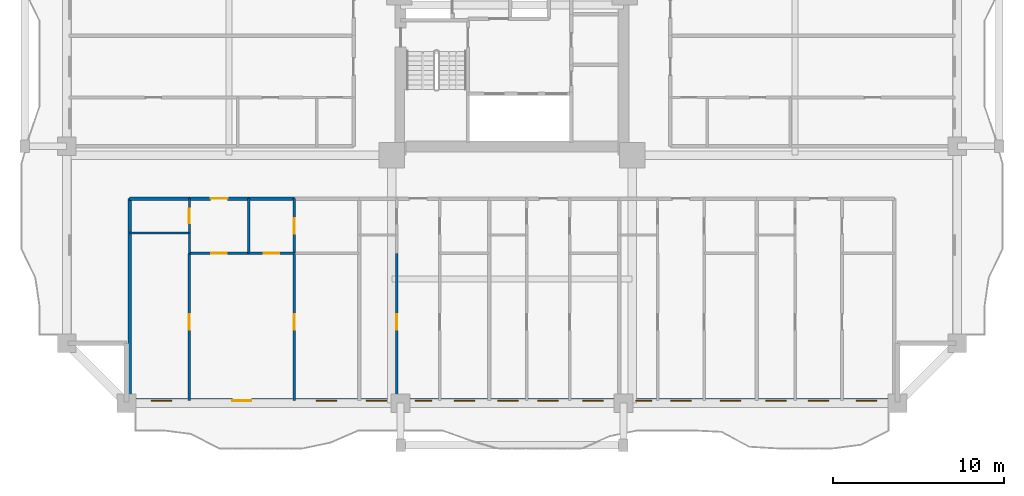
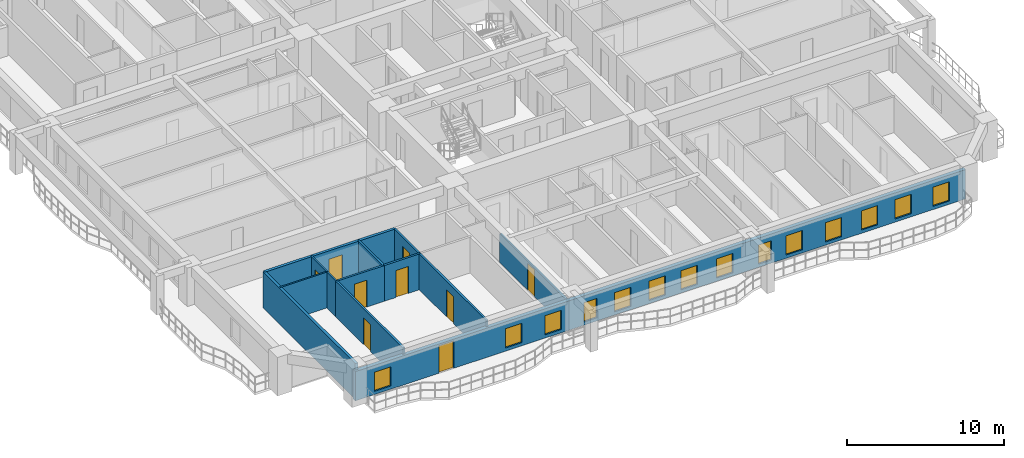
# One storey, part 2 of 16: 15 walls, 14 windows, 9 doors, 23 openings.
"""IFC4 building model written with IfcOpenShell, lengths in metres."""

import ifcopenshell
import ifcopenshell.guid

model = None  # the IFC model being written
_history = None  # IfcOwnerHistory: only IFC2X3 demands one
_inside = {}  # id of a spatial element -> (the spatial element, [elements in it])
_under = {}  # id of a project, library or spatial element -> (it, [spatial elements below it])
_declared = {}  # id of a project -> (the project, [libraries it declares])
_typed = {}  # id of a type object -> (the type object, [elements of that type])
_made_of = {}  # id of a material, layer set ... -> (it, [elements and type objects made of it])


def new_model(schema):
    """Start an empty IFC model of exactly this schema.

    Asked for "IFC4X3", IfcOpenShell would pick the latest addendum, in which some entities
    have other attributes; the version numbers below select the first issue.
    IFC2X3 requires an IfcOwnerHistory on every rooted entity: one is made here for all.
    """
    global model, _history
    if schema == "IFC4X3":
        model = ifcopenshell.file(schema_version=(4, 3, 0, 0))
    else:
        model = ifcopenshell.file(schema=schema)
    _inside.clear()
    _under.clear()
    _declared.clear()
    _typed.clear()
    _made_of.clear()
    _history = None
    if model.schema == "IFC2X3":
        org = make("IfcOrganization", Name="unknown")
        user = make(
            "IfcPersonAndOrganization",
            ThePerson=make("IfcPerson", FamilyName="unknown"),
            TheOrganization=org,
        )
        app = make(
            "IfcApplication",
            ApplicationDeveloper=org,
            Version="unknown",
            ApplicationFullName="unknown",
            ApplicationIdentifier="unknown",
        )
        _history = make(
            "IfcOwnerHistory",
            OwningUser=user,
            OwningApplication=app,
            ChangeAction="ADDED",
            CreationDate=0,
        )
    return model


def make(cls, **values):
    """One entity of the class cls with the attributes given. An attribute that is None is left unset."""
    return model.create_entity(
        cls, **{name: value for name, value in values.items() if value is not None}
    )


def rooted(cls, **values):
    """An entity with a GlobalId (a new one), such as an element, a storey or a relation."""
    return make(cls, GlobalId=ifcopenshell.guid.new(), OwnerHistory=_history, **values)


def si_unit(unit_type, name, prefix=None):
    """IfcSIUnit, for example si_unit("LENGTHUNIT", "METRE", prefix="MILLI")."""
    return make("IfcSIUnit", UnitType=unit_type, Prefix=prefix, Name=name)


def assignment(units):
    """IfcUnitAssignment: the units of a project."""
    return None if units is None else make("IfcUnitAssignment", Units=units)


def point(xyz):
    """IfcCartesianPoint."""
    return None if xyz is None else make("IfcCartesianPoint", Coordinates=xyz)


def direction(xyz):
    """IfcDirection."""
    return None if xyz is None else make("IfcDirection", DirectionRatios=xyz)


def frame(location, z_axis=None, x_axis=None):
    """IfcAxis2Placement3D, a coordinate frame: its origin and axes. An axis left out is left unset."""
    return make(
        "IfcAxis2Placement3D",
        Location=point(location),
        Axis=direction(z_axis),
        RefDirection=direction(x_axis),
    )


def frame_2d(location, x_axis=None):
    """IfcAxis2Placement2D, a coordinate frame in the plane: its origin and x axis."""
    return make(
        "IfcAxis2Placement2D", Location=point(location), RefDirection=direction(x_axis)
    )


def origin():
    """The frame at (0, 0, 0) with its axes left unset."""
    return frame((0.0, 0.0, 0.0))


def place(relative_to, where):
    """IfcLocalPlacement: puts the frame where relative to a parent placement (None: the world)."""
    return make(
        "IfcLocalPlacement", PlacementRelTo=relative_to, RelativePlacement=where
    )


def context(
    kind, dimensions, precision=None, world=None, true_north=None, identifier=None
):
    """IfcGeometricRepresentationContext, for example the 3D "Model" context."""
    return make(
        "IfcGeometricRepresentationContext",
        ContextIdentifier=identifier,
        ContextType=kind,
        CoordinateSpaceDimension=dimensions,
        Precision=precision,
        WorldCoordinateSystem=world,
        TrueNorth=true_north,
    )


def subcontext(parent, identifier, kind, view, scale=None):
    """IfcGeometricRepresentationSubContext, for example "Body" below "Model"."""
    return make(
        "IfcGeometricRepresentationSubContext",
        ContextIdentifier=identifier,
        ContextType=kind,
        ParentContext=parent,
        TargetScale=scale,
        TargetView=view,
    )


def project(units=None, contexts=None):
    """IfcProject with its units and contexts."""
    return rooted(
        "IfcProject",
        Name="project",
        RepresentationContexts=contexts,
        UnitsInContext=assignment(units),
    )


def spatial(cls, under=None, at=None, **own):
    """A site, building, storey or space (cls), placed at a placement, below another one or the project."""
    s = rooted(cls, ObjectPlacement=at, **own)
    if under is not None:
        _under.setdefault(under.id(), (under, []))[1].append(s)
    return s


def profile(cls, at=None, kind="AREA", **sizes):
    """A parametric profile (cls). Its sizes go by their IFC names, for example OverallWidth=200.0."""
    return make(cls, ProfileType=kind, Position=at, **sizes)


def rectangle(**sizes):
    """IfcRectangleProfileDef."""
    return profile("IfcRectangleProfileDef", **sizes)


def extrude(swept, where, along, depth):
    """IfcExtrudedAreaSolid: the profile swept, set in the frame where, extruded along a direction by depth."""
    return make(
        "IfcExtrudedAreaSolid",
        SweptArea=swept,
        Position=where,
        ExtrudedDirection=direction(along),
        Depth=depth,
    )


def shape(context_of_items, identifier, shape_type, items):
    """IfcShapeRepresentation: the items that make up one representation, for example the "Body"."""
    return make(
        "IfcShapeRepresentation",
        ContextOfItems=context_of_items,
        RepresentationIdentifier=identifier,
        RepresentationType=shape_type,
        Items=items,
    )


def source(mapping_origin, context_of_items, identifier, shape_type, items):
    """IfcRepresentationMap: a shape defined once, which mapped items show again and again."""
    return make(
        "IfcRepresentationMap",
        MappingOrigin=mapping_origin,
        MappedRepresentation=shape(context_of_items, identifier, shape_type, items),
    )


def transform(
    local_origin,
    x_axis=None,
    y_axis=None,
    z_axis=None,
    scale=None,
    scale2=None,
    scale3=None,
    uniform=True,
):
    """IfcCartesianTransformationOperator3D, or its non-uniform kind. x_axis, y_axis, z_axis: its Axis1, 2, 3."""
    if uniform:
        return make(
            "IfcCartesianTransformationOperator3D",
            Axis1=direction(x_axis),
            Axis2=direction(y_axis),
            LocalOrigin=point(local_origin),
            Scale=scale,
            Axis3=direction(z_axis),
        )
    return make(
        "IfcCartesianTransformationOperator3DnonUniform",
        Axis1=direction(x_axis),
        Axis2=direction(y_axis),
        LocalOrigin=point(local_origin),
        Scale=scale,
        Axis3=direction(z_axis),
        Scale2=scale2,
        Scale3=scale3,
    )


def mapped(mapping_source, mapping_target):
    """IfcMappedItem: shows the shape of a source again, moved by a transform."""
    return make(
        "IfcMappedItem", MappingSource=mapping_source, MappingTarget=mapping_target
    )


def material(Name=None, Category=None):
    """IfcMaterial."""
    return make("IfcMaterial", Name=Name, Category=Category)


def layer(
    of_material, thickness, ventilated=None, Name=None, Category=None, Priority=None
):
    """IfcMaterialLayer: one layer of a wall or slab, of a material (None: an air gap)."""
    return make(
        "IfcMaterialLayer",
        Material=of_material,
        LayerThickness=thickness,
        IsVentilated=ventilated,
        Name=Name,
        Category=Category,
        Priority=Priority,
    )


def layer_set(layers, Name=None):
    """IfcMaterialLayerSet."""
    return make("IfcMaterialLayerSet", MaterialLayers=layers, LayerSetName=Name)


def made_of(thing, what):
    """Note that an element or type object is made of a material, layer set ...; save() writes the relation."""
    if what is not None:
        _made_of.setdefault(what.id(), (what, []))[1].append(thing)
    return thing


def type_object(cls, material=None, **own):
    """A type object (cls), such as IfcWallType, which elements share."""
    return made_of(rooted(cls, **own), material)


def element(
    cls,
    number,
    at=None,
    inside=None,
    cuts=None,
    type_object=None,
    material=None,
    context=None,
    identifier="Body",
    shape_type=None,
    held_by="IfcProductDefinitionShape",
    body=None,
    shapes=None,
    **own,
):
    """One element of the class cls, such as IfcWall. Its Tag is "e" and its number.

    at: its placement. inside: the storey or other place that contains it. cuts: it is an
    opening in that element (IfcRelVoidsElement). A single representation is given by context,
    identifier, shape_type and body (its items); several are given by shapes. held_by: the class
    of the entity that holds the representations. save() writes the other relations.
    """
    e = rooted(cls, Tag="e%d" % number, ObjectPlacement=at, **own)
    if body is not None:
        shapes = [shape(context, identifier, shape_type, body)]
    if shapes is not None:
        e.Representation = make(held_by, Representations=shapes)
    if inside is not None:
        _inside.setdefault(inside.id(), (inside, []))[1].append(e)
    if cuts is not None:
        rooted(
            "IfcRelVoidsElement", RelatingBuildingElement=cuts, RelatedOpeningElement=e
        )
    if type_object is not None:
        _typed.setdefault(type_object.id(), (type_object, []))[1].append(e)
    return made_of(e, material)


def fill(opening, filler):
    """IfcRelFillsElement: the door or window that sits in an opening."""
    return rooted(
        "IfcRelFillsElement",
        RelatingOpeningElement=opening,
        RelatedBuildingElement=filler,
    )


def aggregate(whole, parts):
    """IfcRelAggregates: a whole, such as a stair, and the parts it consists of."""
    return rooted("IfcRelAggregates", RelatingObject=whole, RelatedObjects=parts)


def save(model, path):
    """Write the relations noted so far, then the file.

    IfcRelAggregates (storeys below a building ...), IfcRelContainedInSpatialStructure (elements
    in a storey), IfcRelDefinesByType, IfcRelAssociatesMaterial and IfcRelDeclares: one each for
    every whole, place, type object, material and project.
    """
    for whole, parts in _under.values():
        aggregate(whole, parts)
    for where, things in _inside.values():
        rooted(
            "IfcRelContainedInSpatialStructure",
            RelatedElements=things,
            RelatingStructure=where,
        )
    for kind, things in _typed.values():
        rooted("IfcRelDefinesByType", RelatedObjects=things, RelatingType=kind)
    for what, things in _made_of.values():
        rooted("IfcRelAssociatesMaterial", RelatedObjects=things, RelatingMaterial=what)
    for by, libraries in _declared.values():
        rooted("IfcRelDeclares", RelatingContext=by, RelatedDefinitions=libraries)
    model.write(path)


model = new_model("IFC4")

# Units and contexts
model_context = context("Model", 3, precision=1e-05, world=origin(), true_north=direction((0.0, 1.0)))
body_context = subcontext(model_context, "Body", "Model", "MODEL_VIEW")
ifc_project = project(units=[si_unit("LENGTHUNIT", "METRE"), si_unit("AREAUNIT", "SQUARE_METRE"), si_unit("VOLUMEUNIT", "CUBIC_METRE"), si_unit("PLANEANGLEUNIT", "RADIAN"), si_unit("MASSUNIT", "GRAM", prefix="KILO")], contexts=[model_context])

# Site, building, storey
site_placement = place(None, origin())
site = spatial("IfcSite", under=ifc_project, at=site_placement, CompositionType="ELEMENT")
building_placement = place(site_placement, origin())
building = spatial("IfcBuilding", under=site, at=building_placement, Name="Saelheon Loggia Tower", CompositionType="ELEMENT")
storey_placement = place(building_placement, frame((0.0, 0.0, 58.39990234375)))
storey = spatial("IfcBuildingStorey", under=building, at=storey_placement, Name="L18", CompositionType="ELEMENT", Elevation=58.39990234375)

# Wall, openings, windows, door
ifc_material_1 = material(Name="Architectural Precast Concrete C40/50", Category="concrete")
ifc_layer_1 = layer(ifc_material_1, 0.280029296875)
ifc_layer_set_1 = layer_set([ifc_layer_1], Name="Architectural Precast Concrete C40/50")
wall_type_1 = type_object("IfcWallType", Name="Wall_Ext_Loggia_280", PredefinedType="SOLIDWALL", material=ifc_layer_set_1)
wall_1_placement = place(storey_placement, frame((15.5, 3.139892578125, 0.0), z_axis=(0.0, 0.0, 1.0), x_axis=(1.0, 0.0, 0.0)))
wall_1 = element("IfcWall", 1, at=wall_1_placement, inside=storey, type_object=wall_type_1, Name="L18 South Loggia Inner Wall", PredefinedType="SOLIDWALL", context=body_context, shape_type="SweptSolid", body=[
    extrude(rectangle(XDim=45.0, YDim=0.280029296875, at=frame_2d((22.5, 0.0))), origin(), (0.0, 0.0, 1.0), 2.280029296875),
])
opening_1_placement = place(wall_1_placement, frame((1.42578125, 0.0, 0.25)))
opening_1 = element("IfcOpeningElement", 2, at=opening_1_placement, cuts=wall_1, Name="Opening WN-03", PredefinedType="OPENING", context=body_context, shape_type="SweptSolid", body=[
    extrude(rectangle(XDim=1.199951171875, YDim=1.5, at=frame_2d((0.60009765625, 0.75))), frame((0.0, 0.152099609375, 0.0), z_axis=(0.0, -1.0, 0.0), x_axis=(1.0, 0.0, 0.0)), (0.0, 0.0, 1.0), 0.303955078125),
])
opening_2_placement = place(wall_1_placement, frame((7.277587890625, 0.0, 0.0), z_axis=(0.0, 0.0, 1.0), x_axis=(-1.0, 0.0, 0.0)))
opening_2 = element("IfcOpeningElement", 3, at=opening_2_placement, cuts=wall_1, Name="Opening TD1", PredefinedType="OPENING", context=body_context, shape_type="SweptSolid", body=[
    extrude(rectangle(XDim=1.10009765625, YDim=2.14990234375, at=frame_2d((0.550048828125, 1.074951171875))), frame((0.0, 0.152099609375, 0.0), z_axis=(0.0, -1.0, 0.0), x_axis=(1.0, 0.0, 0.0)), (0.0, 0.0, 1.0), 0.303955078125),
])
opening_3_placement = place(wall_1_placement, frame((11.08251953125, 0.0, 0.25)))
opening_3 = element("IfcOpeningElement", 4, at=opening_3_placement, cuts=wall_1, Name="Opening WN-03", PredefinedType="OPENING", context=body_context, shape_type="SweptSolid", body=[
    extrude(rectangle(XDim=1.199951171875, YDim=1.5, at=frame_2d((0.60009765625, 0.75))), frame((0.0, 0.152099609375, 0.0), z_axis=(0.0, -1.0, 0.0), x_axis=(1.0, 0.0, 0.0)), (0.0, 0.0, 1.0), 0.303955078125),
])
opening_4_placement = place(wall_1_placement, frame((13.990966796875, 0.0, 0.25)))
opening_4 = element("IfcOpeningElement", 5, at=opening_4_placement, cuts=wall_1, Name="Opening WN-03", PredefinedType="OPENING", context=body_context, shape_type="SweptSolid", body=[
    extrude(rectangle(XDim=1.199951171875, YDim=1.5, at=frame_2d((0.60009765625, 0.75))), frame((0.0, 0.152099609375, 0.0), z_axis=(0.0, -1.0, 0.0), x_axis=(1.0, 0.0, 0.0)), (0.0, 0.0, 1.0), 0.303955078125),
])
opening_5_placement = place(wall_1_placement, frame((16.8583984375, 0.0, 0.25)))
opening_5 = element("IfcOpeningElement", 6, at=opening_5_placement, cuts=wall_1, Name="Opening WN-04", PredefinedType="OPENING", context=body_context, shape_type="SweptSolid", body=[
    extrude(rectangle(XDim=0.949951171875, YDim=1.5, at=frame_2d((0.47509765625, 0.75))), frame((0.0, 0.152099609375, 0.0), z_axis=(0.0, -1.0, 0.0), x_axis=(1.0, 0.0, 0.0)), (0.0, 0.0, 1.0), 0.303955078125),
])
opening_6_placement = place(wall_1_placement, frame((19.118896484375, 0.0, 0.25)))
opening_6 = element("IfcOpeningElement", 7, at=opening_6_placement, cuts=wall_1, Name="Opening WN-03", PredefinedType="OPENING", context=body_context, shape_type="SweptSolid", body=[
    extrude(rectangle(XDim=1.199951171875, YDim=1.5, at=frame_2d((0.60009765625, 0.75))), frame((0.0, 0.152099609375, 0.0), z_axis=(0.0, -1.0, 0.0), x_axis=(1.0, 0.0, 0.0)), (0.0, 0.0, 1.0), 0.303955078125),
])
opening_7_placement = place(wall_1_placement, frame((21.660888671875, 0.0, 0.25)))
opening_7 = element("IfcOpeningElement", 8, at=opening_7_placement, cuts=wall_1, Name="Opening WN-03", PredefinedType="OPENING", context=body_context, shape_type="SweptSolid", body=[
    extrude(rectangle(XDim=1.199951171875, YDim=1.5, at=frame_2d((0.60009765625, 0.75))), frame((0.0, 0.152099609375, 0.0), z_axis=(0.0, -1.0, 0.0), x_axis=(1.0, 0.0, 0.0)), (0.0, 0.0, 1.0), 0.303955078125),
])
opening_8_placement = place(wall_1_placement, frame((24.01318359375, 0.0, 0.25)))
opening_8 = element("IfcOpeningElement", 9, at=opening_8_placement, cuts=wall_1, Name="Opening WN-03", PredefinedType="OPENING", context=body_context, shape_type="SweptSolid", body=[
    extrude(rectangle(XDim=1.199951171875, YDim=1.5, at=frame_2d((0.60009765625, 0.75))), frame((0.0, 0.152099609375, 0.0), z_axis=(0.0, -1.0, 0.0), x_axis=(1.0, 0.0, 0.0)), (0.0, 0.0, 1.0), 0.303955078125),
])
opening_9_placement = place(wall_1_placement, frame((26.637939453125, 0.0, 0.25)))
opening_9 = element("IfcOpeningElement", 10, at=opening_9_placement, cuts=wall_1, Name="Opening WN-03", PredefinedType="OPENING", context=body_context, shape_type="SweptSolid", body=[
    extrude(rectangle(XDim=1.199951171875, YDim=1.5, at=frame_2d((0.60009765625, 0.75))), frame((0.0, 0.152099609375, 0.0), z_axis=(0.0, -1.0, 0.0), x_axis=(1.0, 0.0, 0.0)), (0.0, 0.0, 1.0), 0.303955078125),
])
opening_10_placement = place(wall_1_placement, frame((29.7197265625, 0.0, 0.25)))
opening_10 = element("IfcOpeningElement", 11, at=opening_10_placement, cuts=wall_1, Name="Opening WN-04", PredefinedType="OPENING", context=body_context, shape_type="SweptSolid", body=[
    extrude(rectangle(XDim=0.949951171875, YDim=1.5, at=frame_2d((0.47509765625, 0.75))), frame((0.0, 0.152099609375, 0.0), z_axis=(0.0, -1.0, 0.0), x_axis=(1.0, 0.0, 0.0)), (0.0, 0.0, 1.0), 0.303955078125),
])
opening_11_placement = place(wall_1_placement, frame((31.765380859375, 0.0, 0.25)))
opening_11 = element("IfcOpeningElement", 12, at=opening_11_placement, cuts=wall_1, Name="Opening WN-03", PredefinedType="OPENING", context=body_context, shape_type="SweptSolid", body=[
    extrude(rectangle(XDim=1.199951171875, YDim=1.5, at=frame_2d((0.60009765625, 0.75))), frame((0.0, 0.152099609375, 0.0), z_axis=(0.0, -1.0, 0.0), x_axis=(1.0, 0.0, 0.0)), (0.0, 0.0, 1.0), 0.303955078125),
])
opening_12_placement = place(wall_1_placement, frame((34.658203125, 0.0, 0.25)))
opening_12 = element("IfcOpeningElement", 13, at=opening_12_placement, cuts=wall_1, Name="Opening WN-03", PredefinedType="OPENING", context=body_context, shape_type="SweptSolid", body=[
    extrude(rectangle(XDim=1.199951171875, YDim=1.5, at=frame_2d((0.60009765625, 0.75))), frame((0.0, 0.152099609375, 0.0), z_axis=(0.0, -1.0, 0.0), x_axis=(1.0, 0.0, 0.0)), (0.0, 0.0, 1.0), 0.303955078125),
])
opening_13_placement = place(wall_1_placement, frame((37.309814453125, 0.0, 0.25)))
opening_13 = element("IfcOpeningElement", 14, at=opening_13_placement, cuts=wall_1, Name="Opening WN-03", PredefinedType="OPENING", context=body_context, shape_type="SweptSolid", body=[
    extrude(rectangle(XDim=1.199951171875, YDim=1.5, at=frame_2d((0.60009765625, 0.75))), frame((0.0, 0.152099609375, 0.0), z_axis=(0.0, -1.0, 0.0), x_axis=(1.0, 0.0, 0.0)), (0.0, 0.0, 1.0), 0.303955078125),
])
opening_14_placement = place(wall_1_placement, frame((39.800537109375, 0.0, 0.25)))
opening_14 = element("IfcOpeningElement", 15, at=opening_14_placement, cuts=wall_1, Name="Opening WN-03", PredefinedType="OPENING", context=body_context, shape_type="SweptSolid", body=[
    extrude(rectangle(XDim=1.199951171875, YDim=1.5, at=frame_2d((0.60009765625, 0.75))), frame((0.0, 0.152099609375, 0.0), z_axis=(0.0, -1.0, 0.0), x_axis=(1.0, 0.0, 0.0)), (0.0, 0.0, 1.0), 0.303955078125),
])
opening_15_placement = place(wall_1_placement, frame((42.58837890625, 0.0, 0.25)))
opening_15 = element("IfcOpeningElement", 16, at=opening_15_placement, cuts=wall_1, Name="Opening WN-03", PredefinedType="OPENING", context=body_context, shape_type="SweptSolid", body=[
    extrude(rectangle(XDim=1.199951171875, YDim=1.5, at=frame_2d((0.60009765625, 0.75))), frame((0.0, 0.152099609375, 0.0), z_axis=(0.0, -1.0, 0.0), x_axis=(1.0, 0.0, 0.0)), (0.0, 0.0, 1.0), 0.303955078125),
])
ifc_material_2 = material(Name="Thermal-Break Aluminium and Triple Low-E Glass", Category="aluminium")
window_type_1 = type_object("IfcWindowType", Name="Win_Bedroom_1200x1500", PartitioningType="SINGLE_PANEL", PredefinedType="WINDOW", material=ifc_material_2)
shared_shape_1 = source(origin(), body_context, "Body", "SweptSolid", [
    extrude(rectangle(XDim=1.199951171875, YDim=1.5, at=frame_2d((0.60009765625, 0.75))), frame((0.0, 0.030029296875, 0.0), z_axis=(0.0, -1.0, 0.0), x_axis=(1.0, 0.0, 0.0)), (0.0, 0.0, 1.0), 0.06005859375),
])
window_1_placement = place(opening_1_placement, origin())
window_1 = element("IfcWindow", 17, at=window_1_placement, inside=storey, type_object=window_type_1, Name="L18 S Dwelling Window 1", OverallHeight=1.5, OverallWidth=1.199951171875, PartitioningType="SINGLE_PANEL", PredefinedType="WINDOW", context=body_context, shape_type="MappedRepresentation", body=[
    mapped(shared_shape_1, transform((0.0, 0.0, 0.0), scale=1.0)),
])
fill(opening_1, window_1)
window_2_placement = place(opening_3_placement, origin())
window_2 = element("IfcWindow", 18, at=window_2_placement, inside=storey, type_object=window_type_1, Name="L18 S Dwelling Window 3", OverallHeight=1.5, OverallWidth=1.199951171875, PartitioningType="SINGLE_PANEL", PredefinedType="WINDOW", context=body_context, shape_type="MappedRepresentation", body=[
    mapped(shared_shape_1, transform((0.0, 0.0, 0.0), scale=1.0)),
])
fill(opening_3, window_2)
window_3_placement = place(opening_4_placement, origin())
window_3 = element("IfcWindow", 19, at=window_3_placement, inside=storey, type_object=window_type_1, Name="L18 S Dwelling Window 4", OverallHeight=1.5, OverallWidth=1.199951171875, PartitioningType="SINGLE_PANEL", PredefinedType="WINDOW", context=body_context, shape_type="MappedRepresentation", body=[
    mapped(shared_shape_1, transform((0.0, 0.0, 0.0), scale=1.0)),
])
fill(opening_4, window_3)
window_4_placement = place(opening_6_placement, origin())
window_4 = element("IfcWindow", 20, at=window_4_placement, inside=storey, type_object=window_type_1, Name="L18 S Dwelling Window 6", OverallHeight=1.5, OverallWidth=1.199951171875, PartitioningType="SINGLE_PANEL", PredefinedType="WINDOW", context=body_context, shape_type="MappedRepresentation", body=[
    mapped(shared_shape_1, transform((0.0, 0.0, 0.0), scale=1.0)),
])
fill(opening_6, window_4)
window_5_placement = place(opening_7_placement, origin())
window_5 = element("IfcWindow", 21, at=window_5_placement, inside=storey, type_object=window_type_1, Name="L18 S Dwelling Window 7", OverallHeight=1.5, OverallWidth=1.199951171875, PartitioningType="SINGLE_PANEL", PredefinedType="WINDOW", context=body_context, shape_type="MappedRepresentation", body=[
    mapped(shared_shape_1, transform((0.0, 0.0, 0.0), scale=1.0)),
])
fill(opening_7, window_5)
window_6_placement = place(opening_8_placement, origin())
window_6 = element("IfcWindow", 22, at=window_6_placement, inside=storey, type_object=window_type_1, Name="L18 S Dwelling Window 8", OverallHeight=1.5, OverallWidth=1.199951171875, PartitioningType="SINGLE_PANEL", PredefinedType="WINDOW", context=body_context, shape_type="MappedRepresentation", body=[
    mapped(shared_shape_1, transform((0.0, 0.0, 0.0), scale=1.0)),
])
fill(opening_8, window_6)
window_7_placement = place(opening_9_placement, origin())
window_7 = element("IfcWindow", 23, at=window_7_placement, inside=storey, type_object=window_type_1, Name="L18 S Dwelling Window 9", OverallHeight=1.5, OverallWidth=1.199951171875, PartitioningType="SINGLE_PANEL", PredefinedType="WINDOW", context=body_context, shape_type="MappedRepresentation", body=[
    mapped(shared_shape_1, transform((0.0, 0.0, 0.0), scale=1.0)),
])
fill(opening_9, window_7)
window_8_placement = place(opening_11_placement, origin())
window_8 = element("IfcWindow", 24, at=window_8_placement, inside=storey, type_object=window_type_1, Name="L18 S Dwelling Window 11", OverallHeight=1.5, OverallWidth=1.199951171875, PartitioningType="SINGLE_PANEL", PredefinedType="WINDOW", context=body_context, shape_type="MappedRepresentation", body=[
    mapped(shared_shape_1, transform((0.0, 0.0, 0.0), scale=1.0)),
])
fill(opening_11, window_8)
window_9_placement = place(opening_12_placement, origin())
window_9 = element("IfcWindow", 25, at=window_9_placement, inside=storey, type_object=window_type_1, Name="L18 S Dwelling Window 12", OverallHeight=1.5, OverallWidth=1.199951171875, PartitioningType="SINGLE_PANEL", PredefinedType="WINDOW", context=body_context, shape_type="MappedRepresentation", body=[
    mapped(shared_shape_1, transform((0.0, 0.0, 0.0), scale=1.0)),
])
fill(opening_12, window_9)
window_10_placement = place(opening_13_placement, origin())
window_10 = element("IfcWindow", 26, at=window_10_placement, inside=storey, type_object=window_type_1, Name="L18 S Dwelling Window 13", OverallHeight=1.5, OverallWidth=1.199951171875, PartitioningType="SINGLE_PANEL", PredefinedType="WINDOW", context=body_context, shape_type="MappedRepresentation", body=[
    mapped(shared_shape_1, transform((0.0, 0.0, 0.0), scale=1.0)),
])
fill(opening_13, window_10)
window_11_placement = place(opening_14_placement, origin())
window_11 = element("IfcWindow", 27, at=window_11_placement, inside=storey, type_object=window_type_1, Name="L18 S Dwelling Window 14", OverallHeight=1.5, OverallWidth=1.199951171875, PartitioningType="SINGLE_PANEL", PredefinedType="WINDOW", context=body_context, shape_type="MappedRepresentation", body=[
    mapped(shared_shape_1, transform((0.0, 0.0, 0.0), scale=1.0)),
])
fill(opening_14, window_11)
window_12_placement = place(opening_15_placement, origin())
window_12 = element("IfcWindow", 28, at=window_12_placement, inside=storey, type_object=window_type_1, Name="L18 S Dwelling Window 15", OverallHeight=1.5, OverallWidth=1.199951171875, PartitioningType="SINGLE_PANEL", PredefinedType="WINDOW", context=body_context, shape_type="MappedRepresentation", body=[
    mapped(shared_shape_1, transform((0.0, 0.0, 0.0), scale=1.0)),
])
fill(opening_15, window_12)
ifc_material_3 = material(Name="Thermal-Break Aluminium Glazed Door", Category="aluminium")
door_type_1 = type_object("IfcDoorType", Name="Door_Terrace_TD1", OperationType="NOTDEFINED", PredefinedType="DOOR", material=ifc_material_3)
shared_shape_2 = source(origin(), body_context, "Body", "SweptSolid", [
    extrude(rectangle(XDim=1.10009765625, YDim=2.14990234375, at=frame_2d((0.550048828125, 1.074951171875))), frame((0.0, 0.02490234375, 0.0), z_axis=(0.0, -1.0, 0.0), x_axis=(1.0, 0.0, 0.0)), (0.0, 0.0, 1.0), 0.050048828125),
])
door_1_placement = place(opening_2_placement, origin())
door_1 = element("IfcDoor", 29, at=door_1_placement, inside=storey, type_object=door_type_1, Name="L18 S Loggia Access Door", OperationType="SINGLE_SWING_RIGHT", OverallHeight=2.14990234375, OverallWidth=1.10009765625, PredefinedType="DOOR", context=body_context, shape_type="MappedRepresentation", body=[
    mapped(shared_shape_2, transform((0.0, 0.0, 0.0), scale=1.0)),
])
fill(opening_2, door_1)
window_type_2 = type_object("IfcWindowType", Name="Win_Narrow_950x1500", PartitioningType="SINGLE_PANEL", PredefinedType="WINDOW", material=ifc_material_2)
shared_shape_3 = source(origin(), body_context, "Body", "SweptSolid", [
    extrude(rectangle(XDim=0.949951171875, YDim=1.5, at=frame_2d((0.47509765625, 0.75))), frame((0.0, 0.030029296875, 0.0), z_axis=(0.0, -1.0, 0.0), x_axis=(1.0, 0.0, 0.0)), (0.0, 0.0, 1.0), 0.06005859375),
])
window_13_placement = place(opening_5_placement, origin())
window_13 = element("IfcWindow", 30, at=window_13_placement, inside=storey, type_object=window_type_2, Name="L18 S Dwelling Window 5", OverallHeight=1.5, OverallWidth=0.949951171875, PartitioningType="SINGLE_PANEL", PredefinedType="WINDOW", context=body_context, shape_type="MappedRepresentation", body=[
    mapped(shared_shape_3, transform((0.0, 0.0, 0.0), scale=1.0)),
])
fill(opening_5, window_13)
window_14_placement = place(opening_10_placement, origin())
window_14 = element("IfcWindow", 31, at=window_14_placement, inside=storey, type_object=window_type_2, Name="L18 S Dwelling Window 10", OverallHeight=1.5, OverallWidth=0.949951171875, PartitioningType="SINGLE_PANEL", PredefinedType="WINDOW", context=body_context, shape_type="MappedRepresentation", body=[
    mapped(shared_shape_3, transform((0.0, 0.0, 0.0), scale=1.0)),
])
fill(opening_10, window_14)

# Wall
ifc_material_4 = material(Name="Lightweight Autoclaved Aerated Concrete Block and Acoustic Gypsum", Category="concrete")
ifc_layer_2 = layer(ifc_material_4, 0.14990234375)
ifc_layer_set_2 = layer_set([ifc_layer_2], Name="Lightweight Autoclaved Aerated Concrete Block and Acoustic Gypsum")
wall_type_2 = type_object("IfcWallType", Name="Wall_Part_150", PredefinedType="PARTITIONING", material=ifc_layer_set_2)
wall_2_placement = place(storey_placement, frame((22.642822265625, 14.949951171875, 0.0), z_axis=(0.0, 0.0, 1.0), x_axis=(0.0, -1.0, 0.0)))
element("IfcWall", 32, at=wall_2_placement, inside=storey, type_object=wall_type_2, Name="L18 S Partition U06", PredefinedType="PARTITIONING", context=body_context, shape_type="SweptSolid", body=[
    extrude(rectangle(XDim=3.199951171875, YDim=0.14990234375, at=frame_2d((1.60009765625, 0.0))), origin(), (0.0, 0.0, 1.0), 2.7900390625),
])

# Wall, opening, door
wall_3_placement = place(storey_placement, frame((19.161865234375, 11.75, 0.0), z_axis=(0.0, 0.0, 1.0), x_axis=(1.0, 0.0, 0.0)))
wall_3 = element("IfcWall", 33, at=wall_3_placement, inside=storey, type_object=wall_type_2, Name="L18 S Partition V07", PredefinedType="PARTITIONING", context=body_context, shape_type="SweptSolid", body=[
    extrude(rectangle(XDim=3.48095703125, YDim=0.14990234375, at=frame_2d((1.740478515625, 0.0))), origin(), (0.0, 0.0, 1.0), 2.7900390625),
])
opening_16_placement = place(wall_3_placement, frame((1.29052734375, 0.0, 0.0)))
opening_16 = element("IfcOpeningElement", 34, at=opening_16_placement, cuts=wall_3, Name="Opening D-IN2", PredefinedType="OPENING", context=body_context, shape_type="SweptSolid", body=[
    extrude(rectangle(XDim=0.89990234375, YDim=2.10009765625, at=frame_2d((0.449951171875, 1.050048828125))), frame((0.0, 0.0869140625, 0.0), z_axis=(0.0, -1.0, 0.0), x_axis=(1.0, 0.0, 0.0)), (0.0, 0.0, 1.0), 0.173828125),
])
ifc_material_5 = material(Name="Engineered Oak Flush Door", Category="timber")
door_type_2 = type_object("IfcDoorType", Name="Door_Int_900", OperationType="NOTDEFINED", PredefinedType="DOOR", material=ifc_material_5)
shared_shape_4 = source(origin(), body_context, "Body", "SweptSolid", [
    extrude(rectangle(XDim=0.89990234375, YDim=2.10009765625, at=frame_2d((0.449951171875, 1.050048828125))), frame((0.0, 0.02490234375, 0.0), z_axis=(0.0, -1.0, 0.0), x_axis=(1.0, 0.0, 0.0)), (0.0, 0.0, 1.0), 0.050048828125),
])
door_2_placement = place(opening_16_placement, origin())
door_2 = element("IfcDoor", 35, at=door_2_placement, inside=storey, type_object=door_type_2, Name="Unit U01 Living Door", OperationType="SINGLE_SWING_LEFT", OverallHeight=2.10009765625, OverallWidth=0.89990234375, PredefinedType="DOOR", context=body_context, shape_type="MappedRepresentation", body=[
    mapped(shared_shape_4, transform((0.0, 0.0, 0.0), scale=1.0)),
])
fill(opening_16, door_2)

wall_4_placement = place(storey_placement, frame((22.642822265625, 11.75, 0.0), z_axis=(0.0, 0.0, 1.0), x_axis=(1.0, 0.0, 0.0)))
wall_4 = element("IfcWall", 36, at=wall_4_placement, inside=storey, type_object=wall_type_2, Name="L18 S Partition V08", PredefinedType="PARTITIONING", context=body_context, shape_type="SweptSolid", body=[
    extrude(rectangle(XDim=2.650146484375, YDim=0.14990234375, at=frame_2d((1.3251953125, 0.0))), origin(), (0.0, 0.0, 1.0), 2.7900390625),
])
opening_17_placement = place(wall_4_placement, frame((0.875, 0.0, 0.0)))
opening_17 = element("IfcOpeningElement", 37, at=opening_17_placement, cuts=wall_4, Name="Opening D-IN2", PredefinedType="OPENING", context=body_context, shape_type="SweptSolid", body=[
    extrude(rectangle(XDim=0.89990234375, YDim=2.10009765625, at=frame_2d((0.449951171875, 1.050048828125))), frame((0.0, 0.0869140625, 0.0), z_axis=(0.0, -1.0, 0.0), x_axis=(1.0, 0.0, 0.0)), (0.0, 0.0, 1.0), 0.173828125),
])
door_3_placement = place(opening_17_placement, origin())
door_3 = element("IfcDoor", 38, at=door_3_placement, inside=storey, type_object=door_type_2, Name="Unit U01 Dressing Closet Door", OperationType="SINGLE_SWING_RIGHT", OverallHeight=2.10009765625, OverallWidth=0.89990234375, PredefinedType="DOOR", context=body_context, shape_type="MappedRepresentation", body=[
    mapped(shared_shape_4, transform((0.0, 0.0, 0.0), scale=1.0)),
])
fill(opening_17, door_3)

wall_5_placement = place(storey_placement, frame((19.161865234375, 11.75, 0.0), z_axis=(0.0, 0.0, 1.0), x_axis=(0.0, -1.0, 0.0)))
wall_5 = element("IfcWall", 39, at=wall_5_placement, inside=storey, type_object=wall_type_2, Name="L18 S Partition U14", PredefinedType="PARTITIONING", context=body_context, shape_type="SweptSolid", body=[
    extrude(rectangle(XDim=8.60009765625, YDim=0.14990234375, at=frame_2d((4.300048828125, 0.0))), origin(), (0.0, 0.0, 1.0), 2.7900390625),
])
opening_18_placement = place(wall_5_placement, frame((3.54931640625, 0.0, 0.0)))
opening_18 = element("IfcOpeningElement", 40, at=opening_18_placement, cuts=wall_5, Name="Opening D-IN2", PredefinedType="OPENING", context=body_context, shape_type="SweptSolid", body=[
    extrude(rectangle(XDim=0.89990234375, YDim=2.10009765625, at=frame_2d((0.449951171875, 1.050048828125))), frame((0.0, 0.0869140625, 0.0), z_axis=(0.0, -1.0, 0.0), x_axis=(1.0, 0.0, 0.0)), (0.0, 0.0, 1.0), 0.173828125),
])
door_4_placement = place(opening_18_placement, origin())
door_4 = element("IfcDoor", 41, at=door_4_placement, inside=storey, type_object=door_type_2, Name="Unit U01 Bedroom 2 Door", OperationType="SINGLE_SWING_RIGHT", OverallHeight=2.10009765625, OverallWidth=0.89990234375, PredefinedType="DOOR", context=body_context, shape_type="MappedRepresentation", body=[
    mapped(shared_shape_4, transform((0.0, 0.0, 0.0), scale=1.0)),
])
fill(opening_18, door_4)

wall_6_placement = place(storey_placement, frame((25.29296875, 14.949951171875, 0.0), z_axis=(0.0, 0.0, 1.0), x_axis=(0.0, -1.0, 0.0)))
wall_6 = element("IfcWall", 42, at=wall_6_placement, inside=storey, type_object=wall_type_2, Name="L18 S Partition U15", PredefinedType="PARTITIONING", context=body_context, shape_type="SweptSolid", body=[
    extrude(rectangle(XDim=3.199951171875, YDim=0.14990234375, at=frame_2d((1.60009765625, 0.0))), origin(), (0.0, 0.0, 1.0), 2.7900390625),
])
opening_19_placement = place(wall_6_placement, frame((1.14990234375, 0.0, 0.0)))
opening_19 = element("IfcOpeningElement", 43, at=opening_19_placement, cuts=wall_6, Name="Opening D-IN2", PredefinedType="OPENING", context=body_context, shape_type="SweptSolid", body=[
    extrude(rectangle(XDim=0.89990234375, YDim=2.10009765625, at=frame_2d((0.449951171875, 1.050048828125))), frame((0.0, 0.0869140625, 0.0), z_axis=(0.0, -1.0, 0.0), x_axis=(1.0, 0.0, 0.0)), (0.0, 0.0, 1.0), 0.173828125),
])
door_5_placement = place(opening_19_placement, origin())
door_5 = element("IfcDoor", 44, at=door_5_placement, inside=storey, type_object=door_type_2, Name="Unit U01 Kitchen Door", OperationType="SINGLE_SWING_LEFT", OverallHeight=2.10009765625, OverallWidth=0.89990234375, PredefinedType="DOOR", context=body_context, shape_type="MappedRepresentation", body=[
    mapped(shared_shape_4, transform((0.0, 0.0, 0.0), scale=1.0)),
])
fill(opening_19, door_5)

wall_7_placement = place(storey_placement, frame((25.29296875, 11.75, 0.0), z_axis=(0.0, 0.0, 1.0), x_axis=(0.0, -1.0, 0.0)))
wall_7 = element("IfcWall", 45, at=wall_7_placement, inside=storey, type_object=wall_type_2, Name="L18 S Partition U16", PredefinedType="PARTITIONING", context=body_context, shape_type="SweptSolid", body=[
    extrude(rectangle(XDim=8.60009765625, YDim=0.14990234375, at=frame_2d((4.300048828125, 0.0))), origin(), (0.0, 0.0, 1.0), 2.7900390625),
])
opening_20_placement = place(wall_7_placement, frame((3.54931640625, 0.0, 0.0)))
opening_20 = element("IfcOpeningElement", 46, at=opening_20_placement, cuts=wall_7, Name="Opening D-IN2", PredefinedType="OPENING", context=body_context, shape_type="SweptSolid", body=[
    extrude(rectangle(XDim=0.89990234375, YDim=2.10009765625, at=frame_2d((0.449951171875, 1.050048828125))), frame((0.0, 0.0869140625, 0.0), z_axis=(0.0, -1.0, 0.0), x_axis=(1.0, 0.0, 0.0)), (0.0, 0.0, 1.0), 0.173828125),
])
door_6_placement = place(opening_20_placement, origin())
door_6 = element("IfcDoor", 47, at=door_6_placement, inside=storey, type_object=door_type_2, Name="Unit U01 Bedroom 1 Door", OperationType="SINGLE_SWING_RIGHT", OverallHeight=2.10009765625, OverallWidth=0.89990234375, PredefinedType="DOOR", context=body_context, shape_type="MappedRepresentation", body=[
    mapped(shared_shape_4, transform((0.0, 0.0, 0.0), scale=1.0)),
])
fill(opening_20, door_6)

wall_8_placement = place(storey_placement, frame((31.27197265625, 11.75, 0.0), z_axis=(0.0, 0.0, 1.0), x_axis=(0.0, -1.0, 0.0)))
wall_8 = element("IfcWall", 48, at=wall_8_placement, inside=storey, type_object=wall_type_2, Name="L18 S Partition U25", PredefinedType="PARTITIONING", context=body_context, shape_type="SweptSolid", body=[
    extrude(rectangle(XDim=8.60009765625, YDim=0.14990234375, at=frame_2d((4.300048828125, 0.0))), origin(), (0.0, 0.0, 1.0), 2.239990234375),
])
opening_21_placement = place(wall_8_placement, frame((3.54931640625, 0.0, 0.0)))
opening_21 = element("IfcOpeningElement", 49, at=opening_21_placement, cuts=wall_8, Name="Opening D-IN2", PredefinedType="OPENING", context=body_context, shape_type="SweptSolid", body=[
    extrude(rectangle(XDim=0.89990234375, YDim=2.10009765625, at=frame_2d((0.449951171875, 1.050048828125))), frame((0.0, 0.0869140625, 0.0), z_axis=(0.0, -1.0, 0.0), x_axis=(1.0, 0.0, 0.0)), (0.0, 0.0, 1.0), 0.173828125),
])
door_7_placement = place(opening_21_placement, origin())
door_7 = element("IfcDoor", 50, at=door_7_placement, inside=storey, type_object=door_type_2, Name="Unit U02 Kitchen Door", OperationType="SINGLE_SWING_LEFT", OverallHeight=2.10009765625, OverallWidth=0.89990234375, PredefinedType="DOOR", context=body_context, shape_type="MappedRepresentation", body=[
    mapped(shared_shape_4, transform((0.0, 0.0, 0.0), scale=1.0)),
])
fill(opening_21, door_7)

# Walls
ifc_material_6 = material(Name="Double Acoustic Stud and Fireboard Partition", Category="gypsum")
ifc_layer_3 = layer(ifc_material_6, 0.199951171875)
ifc_layer_set_3 = layer_set([ifc_layer_3], Name="Double Acoustic Stud and Fireboard Partition")
wall_type_3 = type_object("IfcWallType", Name="Wall_Party_200", PredefinedType="PARTITIONING", material=ifc_layer_set_3)
wall_9_placement = place(storey_placement, frame((15.679931640625, 14.949951171875, 0.0), z_axis=(0.0, 0.0, 1.0), x_axis=(0.0, -1.0, 0.0)))
element("IfcWall", 51, at=wall_9_placement, inside=storey, type_object=wall_type_3, Name="L18 S Partition U01", PredefinedType="PARTITIONING", context=body_context, shape_type="SweptSolid", body=[
    extrude(rectangle(XDim=11.800048828125, YDim=0.199951171875, at=frame_2d((5.89990234375, 0.0))), origin(), (0.0, 0.0, 1.0), 2.7900390625),
])
wall_10_placement = place(storey_placement, frame((15.679931640625, 14.949951171875, 0.0), z_axis=(0.0, 0.0, 1.0), x_axis=(1.0, 0.0, 0.0)))
element("IfcWall", 52, at=wall_10_placement, inside=storey, type_object=wall_type_3, Name="L18 S Partition V03", PredefinedType="PARTITIONING", context=body_context, shape_type="SweptSolid", body=[
    extrude(rectangle(XDim=3.48193359375, YDim=0.199951171875, at=frame_2d((1.740966796875, 0.0))), origin(), (0.0, 0.0, 1.0), 2.7900390625),
])

# Wall, opening, door
wall_11_placement = place(storey_placement, frame((19.161865234375, 14.949951171875, 0.0), z_axis=(0.0, 0.0, 1.0), x_axis=(1.0, 0.0, 0.0)))
wall_11 = element("IfcWall", 53, at=wall_11_placement, inside=storey, type_object=wall_type_3, Name="L18 S Partition V04", PredefinedType="PARTITIONING", context=body_context, shape_type="SweptSolid", body=[
    extrude(rectangle(XDim=3.48095703125, YDim=0.199951171875, at=frame_2d((1.740478515625, 0.0))), origin(), (0.0, 0.0, 1.0), 2.7900390625),
])
opening_22_placement = place(wall_11_placement, frame((1.240478515625, 0.0, 0.0)))
opening_22 = element("IfcOpeningElement", 54, at=opening_22_placement, cuts=wall_11, Name="Opening D-FD1", PredefinedType="OPENING", context=body_context, shape_type="SweptSolid", body=[
    extrude(rectangle(XDim=1.0, YDim=2.14990234375, at=frame_2d((0.5, 1.074951171875))), frame((0.0, 0.112060546875, 0.0), z_axis=(0.0, -1.0, 0.0), x_axis=(1.0, 0.0, 0.0)), (0.0, 0.0, 1.0), 0.223876953125),
])
ifc_material_7 = material(Name="Fire-Rated Engineered Timber Entrance Door", Category="wood")
door_type_3 = type_object("IfcDoorType", Name="Door_Flat_FD30S", OperationType="NOTDEFINED", PredefinedType="DOOR", material=ifc_material_7)
shared_shape_5 = source(origin(), body_context, "Body", "SweptSolid", [
    extrude(rectangle(XDim=1.0, YDim=2.14990234375, at=frame_2d((0.5, 1.074951171875))), frame((0.0, 0.02490234375, 0.0), z_axis=(0.0, -1.0, 0.0), x_axis=(1.0, 0.0, 0.0)), (0.0, 0.0, 1.0), 0.050048828125),
])
door_8_placement = place(opening_22_placement, origin())
door_8 = element("IfcDoor", 55, at=door_8_placement, inside=storey, type_object=door_type_3, Name="Unit U01 Entrance Door", OperationType="SINGLE_SWING_RIGHT", OverallHeight=2.14990234375, OverallWidth=1.0, PredefinedType="DOOR", context=body_context, shape_type="MappedRepresentation", body=[
    mapped(shared_shape_5, transform((0.0, 0.0, 0.0), scale=1.0)),
])
fill(opening_22, door_8)

# Walls
wall_12_placement = place(storey_placement, frame((22.642822265625, 14.949951171875, 0.0), z_axis=(0.0, 0.0, 1.0), x_axis=(1.0, 0.0, 0.0)))
element("IfcWall", 56, at=wall_12_placement, inside=storey, type_object=wall_type_3, Name="L18 S Partition V05", PredefinedType="PARTITIONING", context=body_context, shape_type="SweptSolid", body=[
    extrude(rectangle(XDim=2.650146484375, YDim=0.199951171875, at=frame_2d((1.3251953125, 0.0))), origin(), (0.0, 0.0, 1.0), 2.7900390625),
])
ifc_material_8 = material(Name="Moisture-Resistant Cement Board Partition", Category="gypsum")
ifc_layer_4 = layer(ifc_material_8, 0.1201171875)
ifc_layer_set_4 = layer_set([ifc_layer_4], Name="Moisture-Resistant Cement Board Partition")
wall_type_4 = type_object("IfcWallType", Name="Wall_WetPart_120", PredefinedType="PARTITIONING", material=ifc_layer_set_4)
wall_13_placement = place(storey_placement, frame((15.679931640625, 12.929931640625, 0.0), z_axis=(0.0, 0.0, 1.0), x_axis=(1.0, 0.0, 0.0)))
element("IfcWall", 57, at=wall_13_placement, inside=storey, type_object=wall_type_4, Name="L18 S Partition V10", PredefinedType="PARTITIONING", context=body_context, shape_type="SweptSolid", body=[
    extrude(rectangle(XDim=3.48193359375, YDim=0.1201171875, at=frame_2d((1.740966796875, 0.0))), origin(), (0.0, 0.0, 1.0), 2.7900390625),
])

# Wall, opening, door
wall_14_placement = place(storey_placement, frame((19.161865234375, 14.949951171875, 0.0), z_axis=(0.0, 0.0, 1.0), x_axis=(0.0, -1.0, 0.0)))
wall_14 = element("IfcWall", 58, at=wall_14_placement, inside=storey, type_object=wall_type_4, Name="L18 S Partition U12", PredefinedType="PARTITIONING", context=body_context, shape_type="SweptSolid", body=[
    extrude(rectangle(XDim=2.02001953125, YDim=0.1201171875, at=frame_2d((1.010009765625, 0.0))), origin(), (0.0, 0.0, 1.0), 2.7900390625),
])
opening_23_placement = place(wall_14_placement, frame((0.5849609375, 0.0, 0.0)))
opening_23 = element("IfcOpeningElement", 59, at=opening_23_placement, cuts=wall_14, Name="Opening D-BT1", PredefinedType="OPENING", context=body_context, shape_type="SweptSolid", body=[
    extrude(rectangle(XDim=0.85009765625, YDim=2.050048828125, at=frame_2d((0.425048828125, 1.02490234375))), frame((0.0, 0.072021484375, 0.0), z_axis=(0.0, -1.0, 0.0), x_axis=(1.0, 0.0, 0.0)), (0.0, 0.0, 1.0), 0.14404296875),
])
ifc_material_9 = material(Name="Moisture-Resistant Laminate Timber Door", Category="wood")
door_type_4 = type_object("IfcDoorType", Name="Door_Bath_850", OperationType="NOTDEFINED", PredefinedType="DOOR", material=ifc_material_9)
shared_shape_6 = source(origin(), body_context, "Body", "SweptSolid", [
    extrude(rectangle(XDim=0.85009765625, YDim=2.050048828125, at=frame_2d((0.425048828125, 1.02490234375))), frame((0.0, 0.02490234375, 0.0), z_axis=(0.0, -1.0, 0.0), x_axis=(1.0, 0.0, 0.0)), (0.0, 0.0, 1.0), 0.050048828125),
])
door_9_placement = place(opening_23_placement, origin())
door_9 = element("IfcDoor", 60, at=door_9_placement, inside=storey, type_object=door_type_4, Name="Unit U01 Bathroom Door", OperationType="SINGLE_SWING_LEFT", OverallHeight=2.050048828125, OverallWidth=0.85009765625, PredefinedType="DOOR", context=body_context, shape_type="MappedRepresentation", body=[
    mapped(shared_shape_6, transform((0.0, 0.0, 0.0), scale=1.0)),
])
fill(opening_23, door_9)

# Wall
wall_15_placement = place(storey_placement, frame((19.161865234375, 12.929931640625, 0.0), z_axis=(0.0, 0.0, 1.0), x_axis=(0.0, -1.0, 0.0)))
element("IfcWall", 61, at=wall_15_placement, inside=storey, type_object=wall_type_4, Name="L18 S Partition U13", PredefinedType="PARTITIONING", context=body_context, shape_type="SweptSolid", body=[
    extrude(rectangle(XDim=1.179931640625, YDim=0.1201171875, at=frame_2d((0.58984375, 0.0))), origin(), (0.0, 0.0, 1.0), 2.7900390625),
])

save(model, "model.ifc")
